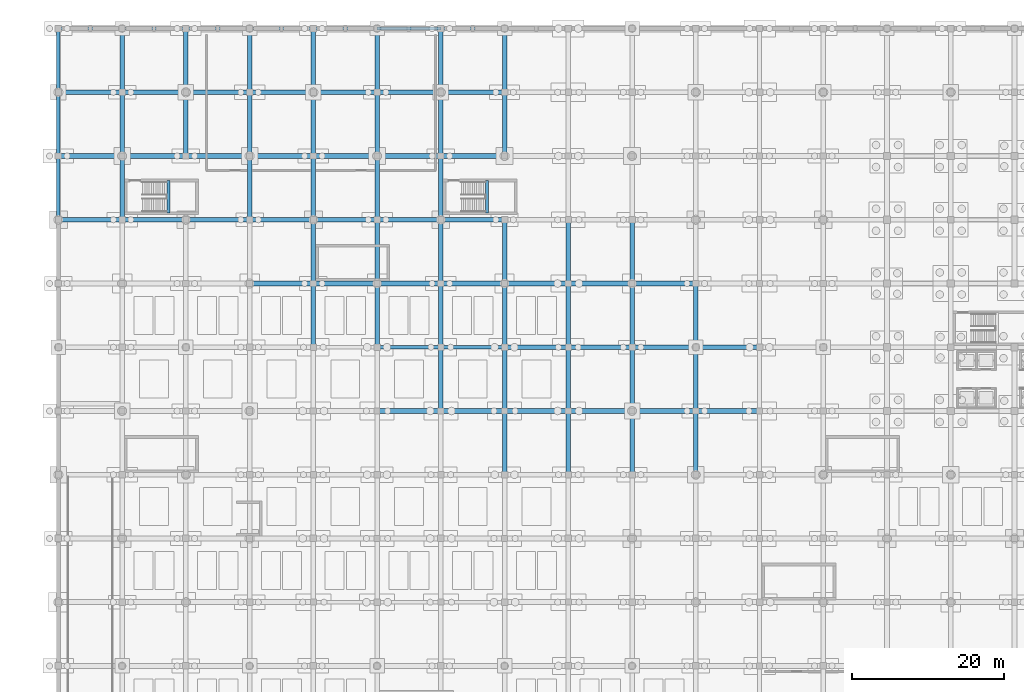
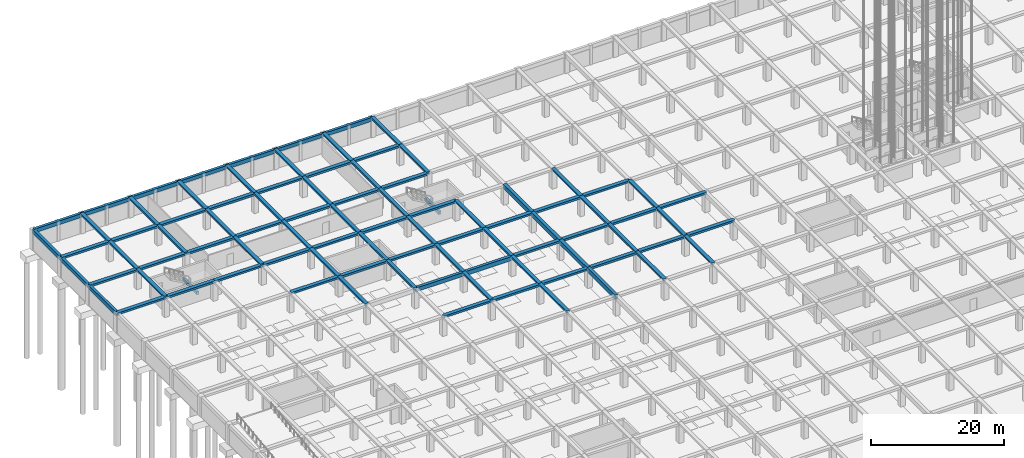
# One storey, part 14 of 47: 93 beams.
"""IFC4 building model written with IfcOpenShell, lengths in metres."""

import ifcopenshell
import ifcopenshell.guid

model = None  # the IFC model being written
_history = None  # IfcOwnerHistory: only IFC2X3 demands one
_inside = {}  # id of a spatial element -> (the spatial element, [elements in it])
_under = {}  # id of a project, library or spatial element -> (it, [spatial elements below it])
_declared = {}  # id of a project -> (the project, [libraries it declares])
_typed = {}  # id of a type object -> (the type object, [elements of that type])
_made_of = {}  # id of a material, layer set ... -> (it, [elements and type objects made of it])


def new_model(schema):
    """Start an empty IFC model of exactly this schema.

    Asked for "IFC4X3", IfcOpenShell would pick the latest addendum, in which some entities
    have other attributes; the version numbers below select the first issue.
    IFC2X3 requires an IfcOwnerHistory on every rooted entity: one is made here for all.
    """
    global model, _history
    if schema == "IFC4X3":
        model = ifcopenshell.file(schema_version=(4, 3, 0, 0))
    else:
        model = ifcopenshell.file(schema=schema)
    _inside.clear()
    _under.clear()
    _declared.clear()
    _typed.clear()
    _made_of.clear()
    _history = None
    if model.schema == "IFC2X3":
        org = make("IfcOrganization", Name="unknown")
        user = make(
            "IfcPersonAndOrganization",
            ThePerson=make("IfcPerson", FamilyName="unknown"),
            TheOrganization=org,
        )
        app = make(
            "IfcApplication",
            ApplicationDeveloper=org,
            Version="unknown",
            ApplicationFullName="unknown",
            ApplicationIdentifier="unknown",
        )
        _history = make(
            "IfcOwnerHistory",
            OwningUser=user,
            OwningApplication=app,
            ChangeAction="ADDED",
            CreationDate=0,
        )
    return model


def make(cls, **values):
    """One entity of the class cls with the attributes given. An attribute that is None is left unset."""
    return model.create_entity(
        cls, **{name: value for name, value in values.items() if value is not None}
    )


def rooted(cls, **values):
    """An entity with a GlobalId (a new one), such as an element, a storey or a relation."""
    return make(cls, GlobalId=ifcopenshell.guid.new(), OwnerHistory=_history, **values)


def si_unit(unit_type, name, prefix=None):
    """IfcSIUnit, for example si_unit("LENGTHUNIT", "METRE", prefix="MILLI")."""
    return make("IfcSIUnit", UnitType=unit_type, Prefix=prefix, Name=name)


def assignment(units):
    """IfcUnitAssignment: the units of a project."""
    return None if units is None else make("IfcUnitAssignment", Units=units)


def point(xyz):
    """IfcCartesianPoint."""
    return None if xyz is None else make("IfcCartesianPoint", Coordinates=xyz)


def direction(xyz):
    """IfcDirection."""
    return None if xyz is None else make("IfcDirection", DirectionRatios=xyz)


def frame(location, z_axis=None, x_axis=None):
    """IfcAxis2Placement3D, a coordinate frame: its origin and axes. An axis left out is left unset."""
    return make(
        "IfcAxis2Placement3D",
        Location=point(location),
        Axis=direction(z_axis),
        RefDirection=direction(x_axis),
    )


def frame_2d(location, x_axis=None):
    """IfcAxis2Placement2D, a coordinate frame in the plane: its origin and x axis."""
    return make(
        "IfcAxis2Placement2D", Location=point(location), RefDirection=direction(x_axis)
    )


def origin():
    """The frame at (0, 0, 0) with its axes left unset."""
    return frame((0.0, 0.0, 0.0))


def origin_2d():
    """The frame at (0, 0) in the plane with its x axis left unset."""
    return frame_2d((0.0, 0.0))


def place(relative_to, where):
    """IfcLocalPlacement: puts the frame where relative to a parent placement (None: the world)."""
    return make(
        "IfcLocalPlacement", PlacementRelTo=relative_to, RelativePlacement=where
    )


def context(
    kind, dimensions, precision=None, world=None, true_north=None, identifier=None
):
    """IfcGeometricRepresentationContext, for example the 3D "Model" context."""
    return make(
        "IfcGeometricRepresentationContext",
        ContextIdentifier=identifier,
        ContextType=kind,
        CoordinateSpaceDimension=dimensions,
        Precision=precision,
        WorldCoordinateSystem=world,
        TrueNorth=true_north,
    )


def subcontext(parent, identifier, kind, view, scale=None):
    """IfcGeometricRepresentationSubContext, for example "Body" below "Model"."""
    return make(
        "IfcGeometricRepresentationSubContext",
        ContextIdentifier=identifier,
        ContextType=kind,
        ParentContext=parent,
        TargetScale=scale,
        TargetView=view,
    )


def project(units=None, contexts=None):
    """IfcProject with its units and contexts."""
    return rooted(
        "IfcProject",
        Name="project",
        RepresentationContexts=contexts,
        UnitsInContext=assignment(units),
    )


def spatial(cls, under=None, at=None, **own):
    """A site, building, storey or space (cls), placed at a placement, below another one or the project."""
    s = rooted(cls, ObjectPlacement=at, **own)
    if under is not None:
        _under.setdefault(under.id(), (under, []))[1].append(s)
    return s


def profile(cls, at=None, kind="AREA", **sizes):
    """A parametric profile (cls). Its sizes go by their IFC names, for example OverallWidth=200.0."""
    return make(cls, ProfileType=kind, Position=at, **sizes)


def rectangle(**sizes):
    """IfcRectangleProfileDef."""
    return profile("IfcRectangleProfileDef", **sizes)


def extrude(swept, where, along, depth):
    """IfcExtrudedAreaSolid: the profile swept, set in the frame where, extruded along a direction by depth."""
    return make(
        "IfcExtrudedAreaSolid",
        SweptArea=swept,
        Position=where,
        ExtrudedDirection=direction(along),
        Depth=depth,
    )


def shape(context_of_items, identifier, shape_type, items):
    """IfcShapeRepresentation: the items that make up one representation, for example the "Body"."""
    return make(
        "IfcShapeRepresentation",
        ContextOfItems=context_of_items,
        RepresentationIdentifier=identifier,
        RepresentationType=shape_type,
        Items=items,
    )


def material(Name=None, Category=None):
    """IfcMaterial."""
    return make("IfcMaterial", Name=Name, Category=Category)


def material_profile(
    of_material, cross_section, Name=None, Category=None, Priority=None
):
    """IfcMaterialProfile: a cross section and its material."""
    return make(
        "IfcMaterialProfile",
        Name=Name,
        Material=of_material,
        Profile=cross_section,
        Priority=Priority,
        Category=Category,
    )


def profile_set(profiles, Name=None, composite=None):
    """IfcMaterialProfileSet."""
    return make(
        "IfcMaterialProfileSet",
        Name=Name,
        MaterialProfiles=profiles,
        CompositeProfile=composite,
    )


def made_of(thing, what):
    """Note that an element or type object is made of a material, layer set ...; save() writes the relation."""
    if what is not None:
        _made_of.setdefault(what.id(), (what, []))[1].append(thing)
    return thing


def type_object(cls, material=None, **own):
    """A type object (cls), such as IfcWallType, which elements share."""
    return made_of(rooted(cls, **own), material)


def element(
    cls,
    number,
    at=None,
    inside=None,
    cuts=None,
    type_object=None,
    material=None,
    context=None,
    identifier="Body",
    shape_type=None,
    held_by="IfcProductDefinitionShape",
    body=None,
    shapes=None,
    **own,
):
    """One element of the class cls, such as IfcWall. Its Tag is "e" and its number.

    at: its placement. inside: the storey or other place that contains it. cuts: it is an
    opening in that element (IfcRelVoidsElement). A single representation is given by context,
    identifier, shape_type and body (its items); several are given by shapes. held_by: the class
    of the entity that holds the representations. save() writes the other relations.
    """
    e = rooted(cls, Tag="e%d" % number, ObjectPlacement=at, **own)
    if body is not None:
        shapes = [shape(context, identifier, shape_type, body)]
    if shapes is not None:
        e.Representation = make(held_by, Representations=shapes)
    if inside is not None:
        _inside.setdefault(inside.id(), (inside, []))[1].append(e)
    if cuts is not None:
        rooted(
            "IfcRelVoidsElement", RelatingBuildingElement=cuts, RelatedOpeningElement=e
        )
    if type_object is not None:
        _typed.setdefault(type_object.id(), (type_object, []))[1].append(e)
    return made_of(e, material)


def aggregate(whole, parts):
    """IfcRelAggregates: a whole, such as a stair, and the parts it consists of."""
    return rooted("IfcRelAggregates", RelatingObject=whole, RelatedObjects=parts)


def save(model, path):
    """Write the relations noted so far, then the file.

    IfcRelAggregates (storeys below a building ...), IfcRelContainedInSpatialStructure (elements
    in a storey), IfcRelDefinesByType, IfcRelAssociatesMaterial and IfcRelDeclares: one each for
    every whole, place, type object, material and project.
    """
    for whole, parts in _under.values():
        aggregate(whole, parts)
    for where, things in _inside.values():
        rooted(
            "IfcRelContainedInSpatialStructure",
            RelatedElements=things,
            RelatingStructure=where,
        )
    for kind, things in _typed.values():
        rooted("IfcRelDefinesByType", RelatedObjects=things, RelatingType=kind)
    for what, things in _made_of.values():
        rooted("IfcRelAssociatesMaterial", RelatedObjects=things, RelatingMaterial=what)
    for by, libraries in _declared.values():
        rooted("IfcRelDeclares", RelatingContext=by, RelatedDefinitions=libraries)
    model.write(path)


model = new_model("IFC4")

# Units and contexts
model_context = context("Model", 3, precision=1e-05, world=origin(), true_north=direction((0.0, 1.0)))
body_context = subcontext(model_context, "Body", "Model", "MODEL_VIEW")
ifc_project = project(units=[si_unit("LENGTHUNIT", "METRE"), si_unit("AREAUNIT", "SQUARE_METRE"), si_unit("VOLUMEUNIT", "CUBIC_METRE"), si_unit("PLANEANGLEUNIT", "RADIAN"), si_unit("MASSUNIT", "GRAM", prefix="KILO")], contexts=[model_context])

# Site, building, storey
site_placement = place(None, origin())
site = spatial("IfcSite", under=ifc_project, at=site_placement, CompositionType="ELEMENT")
building_placement = place(site_placement, origin())
building = spatial("IfcBuilding", under=site, at=building_placement, Name="Almacenes y Pasaje Nevantli", CompositionType="ELEMENT")
storey_placement = place(building_placement, frame((0.0, 0.0, -8.10009765625)))
storey = spatial("IfcBuildingStorey", under=building, at=storey_placement, Name="B02", CompositionType="ELEMENT", Elevation=-8.10009765625)

# Beams
ifc_material_1 = material(Name="Concrete C35/45", Category="concrete")
ifc_material_profile_1 = material_profile(ifc_material_1, rectangle(XDim=0.39990234375, YDim=0.60009765625, at=origin_2d()), Name="RC-BM-400x600")
ifc_profile_set_1 = profile_set([ifc_material_profile_1], Name="Concrete C35/45")
beam_type_1 = type_object("IfcBeamType", Name="BM-RC-400x600", PredefinedType="SPANDREL", material=ifc_profile_set_1)
for number, where, z_axis, x_axis, name in (
    (1, (14.489990234375, 93.300048828125, 1.4501953125), (0.0, 1.0, 0.0), (-1.0, 0.0, 0.0), "B02 Stair ST-03 Half-Landing Support Beam"),
    (2, (56.489990234375, 93.300048828125, 1.4501953125), (0.0, 1.0, 0.0), (-1.0, 0.0, 0.0), "B02 Stair ST-05 Half-Landing Support Beam"),
):
    element("IfcBeam", number, at=place(storey_placement, frame(where, z_axis=z_axis, x_axis=x_axis)), inside=storey, type_object=beam_type_1, Name=name, PredefinedType="SPANDREL", context=body_context, shape_type="SweptSolid", body=[
        extrude(rectangle(XDim=0.39990234375, YDim=0.60009765625, at=origin_2d()), origin(), (0.0, 0.0, 1.0), 4.25),
    ])
ifc_material_2 = material(Name="Concrete C35/45", Category="concrete")
ifc_material_profile_2 = material_profile(ifc_material_2, rectangle(XDim=0.449951171875, YDim=0.64990234375, at=origin_2d()), Name="RC-BM-450x650")
ifc_profile_set_2 = profile_set([ifc_material_profile_2], Name="Concrete C35/45")
beam_type_2 = type_object("IfcBeamType", Name="BM-RC-450x650", PredefinedType="SPANDREL", material=ifc_profile_set_2)
for number, where, z_axis, x_axis, name in (
    (3, (8.39990234375, 117.60009765625, 3.275146484375), (1.0, 0.0, 0.0), (0.0, 1.0, 0.0), "B02 East-West Reinforced Concrete Beam #273"),
    (4, (25.199951171875, 117.60009765625, 3.275146484375), (1.0, 0.0, 0.0), (0.0, 1.0, 0.0), "B02 East-West Reinforced Concrete Beam #275"),
):
    element("IfcBeam", number, at=place(storey_placement, frame(where, z_axis=z_axis, x_axis=x_axis)), inside=storey, type_object=beam_type_2, Name=name, PredefinedType="SPANDREL", context=body_context, shape_type="SweptSolid", body=[
        extrude(rectangle(XDim=0.449951171875, YDim=0.64990234375, at=origin_2d()), origin(), (0.0, 0.0, 1.0), 8.400146484375),
    ])
beam_1_placement = place(storey_placement, frame((42.0, 117.60009765625, 3.275146484375), z_axis=(1.0, 0.0, 0.0), x_axis=(0.0, 1.0, 0.0)))
element("IfcBeam", 5, at=beam_1_placement, inside=storey, type_object=beam_type_2, Name="B02 East-West Reinforced Concrete Beam #277", PredefinedType="SPANDREL", context=body_context, shape_type="SweptSolid", body=[
    extrude(rectangle(XDim=0.449951171875, YDim=0.64990234375, at=origin_2d()), origin(), (0.0, 0.0, 1.0), 8.39990234375),
])
ifc_material_3 = material(Name="Concrete C35/45", Category="concrete")
ifc_material_profile_3 = material_profile(ifc_material_3, rectangle(XDim=0.449951171875, YDim=0.699951171875, at=origin_2d()), Name="RC-BM-450x700")
ifc_profile_set_3 = profile_set([ifc_material_profile_3], Name="Concrete C35/45")
beam_type_3 = type_object("IfcBeamType", Name="BM-RC-450x700", PredefinedType="SPANDREL", material=ifc_profile_set_3)
for number, where, z_axis, x_axis, name in (
    (6, (0.0, 117.60009765625, 3.25), (1.0, 0.0, 0.0), (0.0, 1.0, 0.0), "B02 East-West Reinforced Concrete Beam #272"),
    (7, (16.800048828125, 117.60009765625, 3.25), (1.0, 0.0, 0.0), (0.0, 1.0, 0.0), "B02 East-West Reinforced Concrete Beam #274"),
    (8, (33.60009765625, 117.60009765625, 3.25), (1.0, 0.0, 0.0), (0.0, 1.0, 0.0), "B02 East-West Reinforced Concrete Beam #276"),
):
    element("IfcBeam", number, at=place(storey_placement, frame(where, z_axis=z_axis, x_axis=x_axis)), inside=storey, type_object=beam_type_3, Name=name, PredefinedType="SPANDREL", context=body_context, shape_type="SweptSolid", body=[
        extrude(rectangle(XDim=0.449951171875, YDim=0.699951171875, at=origin_2d()), origin(), (0.0, 0.0, 1.0), 8.39990234375),
    ])
for number, where, z_axis, x_axis, name in (
    (9, (50.39990234375, 117.60009765625, 3.25), (1.0, 0.0, 0.0), (0.0, 1.0, 0.0), "B02 East-West Reinforced Concrete Beam #278"),
    (10, (0.0, 92.39990234375, 3.25), (0.0, 1.0, 0.0), (-1.0, 0.0, 0.0), "B02 North-South Reinforced Concrete Beam #300"),
):
    element("IfcBeam", number, at=place(storey_placement, frame(where, z_axis=z_axis, x_axis=x_axis)), inside=storey, type_object=beam_type_3, Name=name, PredefinedType="SPANDREL", context=body_context, shape_type="SweptSolid", body=[
        extrude(rectangle(XDim=0.449951171875, YDim=0.699951171875, at=origin_2d()), origin(), (0.0, 0.0, 1.0), 8.400146484375),
    ])
beam_2_placement = place(storey_placement, frame((0.0, 100.800048828125, 3.25), z_axis=(0.0, 1.0, 0.0), x_axis=(-1.0, 0.0, 0.0)))
element("IfcBeam", 11, at=beam_2_placement, inside=storey, type_object=beam_type_3, Name="B02 North-South Reinforced Concrete Beam #301", PredefinedType="SPANDREL", context=body_context, shape_type="SweptSolid", body=[
    extrude(rectangle(XDim=0.449951171875, YDim=0.699951171875, at=origin_2d()), origin(), (0.0, 0.0, 1.0), 8.39990234375),
])
beam_3_placement = place(storey_placement, frame((0.0, 109.199951171875, 3.25), z_axis=(0.0, 1.0, 0.0), x_axis=(-1.0, 0.0, 0.0)))
element("IfcBeam", 12, at=beam_3_placement, inside=storey, type_object=beam_type_3, Name="B02 North-South Reinforced Concrete Beam #302", PredefinedType="SPANDREL", context=body_context, shape_type="SweptSolid", body=[
    extrude(rectangle(XDim=0.449951171875, YDim=0.699951171875, at=origin_2d()), origin(), (0.0, 0.0, 1.0), 8.400146484375),
])
ifc_material_4 = material(Name="Concrete C35/45", Category="concrete")
ifc_material_profile_4 = material_profile(ifc_material_4, rectangle(XDim=0.5, YDim=0.699951171875, at=origin_2d()), Name="RC-BM-500x700")
ifc_profile_set_4 = profile_set([ifc_material_profile_4], Name="Concrete C35/45")
beam_type_4 = type_object("IfcBeamType", Name="BM-RC-500x700", PredefinedType="BEAM", material=ifc_profile_set_4)
beam_4_placement = place(storey_placement, frame((42.0, 75.60009765625, 3.25), z_axis=(1.0, 0.0, 0.0), x_axis=(0.0, 1.0, 0.0)))
element("IfcBeam", 13, at=beam_4_placement, inside=storey, type_object=beam_type_4, Name="B02 East-West Reinforced Concrete Beam #177", PredefinedType="BEAM", context=body_context, shape_type="SweptSolid", body=[
    extrude(rectangle(XDim=0.5, YDim=0.699951171875, at=origin_2d()), origin(), (0.0, 0.0, 1.0), 8.39990234375),
])
ifc_material_5 = material(Name="Concrete C35/45", Category="concrete")
ifc_material_profile_5 = material_profile(ifc_material_5, rectangle(XDim=0.5, YDim=0.75, at=origin_2d()), Name="RC-BM-500x750")
ifc_profile_set_5 = profile_set([ifc_material_profile_5], Name="Concrete C35/45")
beam_type_5 = type_object("IfcBeamType", Name="BM-RC-500x750", PredefinedType="BEAM", material=ifc_profile_set_5)
beam_5_placement = place(storey_placement, frame((50.39990234375, 75.60009765625, 3.22509765625), z_axis=(1.0, 0.0, 0.0), x_axis=(0.0, 1.0, 0.0)))
element("IfcBeam", 14, at=beam_5_placement, inside=storey, type_object=beam_type_5, Name="B02 East-West Reinforced Concrete Beam #178", PredefinedType="BEAM", context=body_context, shape_type="SweptSolid", body=[
    extrude(rectangle(XDim=0.5, YDim=0.75, at=origin_2d()), origin(), (0.0, 0.0, 1.0), 8.400146484375),
])
ifc_material_6 = material(Name="Concrete C35/45", Category="concrete")
ifc_material_profile_6 = material_profile(ifc_material_6, rectangle(XDim=0.550048828125, YDim=0.800048828125, at=origin_2d()), Name="RC-BM-550x800")
ifc_profile_set_6 = profile_set([ifc_material_profile_6], Name="Concrete C35/45")
beam_type_6 = type_object("IfcBeamType", Name="BM-RC-550x800", PredefinedType="BEAM", material=ifc_profile_set_6)
beam_6_placement = place(storey_placement, frame((67.199951171875, 58.800048828125, 3.2001953125), z_axis=(0.0, 1.0, 0.0), x_axis=(-1.0, 0.0, 0.0)))
element("IfcBeam", 15, at=beam_6_placement, inside=storey, type_object=beam_type_6, Name="B02 North-South Reinforced Concrete Beam #399", PredefinedType="BEAM", context=body_context, shape_type="SweptSolid", body=[
    extrude(rectangle(XDim=0.550048828125, YDim=0.800048828125, at=origin_2d()), origin(), (0.0, 0.0, 1.0), 8.39990234375),
])
beam_7_placement = place(storey_placement, frame((67.199951171875, 67.199951171875, 3.2001953125), z_axis=(0.0, 1.0, 0.0), x_axis=(-1.0, 0.0, 0.0)))
element("IfcBeam", 16, at=beam_7_placement, inside=storey, type_object=beam_type_6, Name="B02 North-South Reinforced Concrete Beam #400", PredefinedType="BEAM", context=body_context, shape_type="SweptSolid", body=[
    extrude(rectangle(XDim=0.550048828125, YDim=0.800048828125, at=origin_2d()), origin(), (0.0, 0.0, 1.0), 8.400146484375),
])
for number, where, z_axis, x_axis, name in (
    (17, (67.199951171875, 75.60009765625, 3.2001953125), (0.0, 1.0, 0.0), (-1.0, 0.0, 0.0), "B02 North-South Reinforced Concrete Beam #401"),
    (18, (67.199951171875, 84.0, 3.2001953125), (0.0, 1.0, 0.0), (-1.0, 0.0, 0.0), "B02 North-South Reinforced Concrete Beam #402"),
):
    element("IfcBeam", number, at=place(storey_placement, frame(where, z_axis=z_axis, x_axis=x_axis)), inside=storey, type_object=beam_type_6, Name=name, PredefinedType="BEAM", context=body_context, shape_type="SweptSolid", body=[
        extrude(rectangle(XDim=0.550048828125, YDim=0.800048828125, at=origin_2d()), origin(), (0.0, 0.0, 1.0), 8.39990234375),
    ])
ifc_material_7 = material(Name="Concrete C35/45", Category="concrete")
ifc_material_profile_7 = material_profile(ifc_material_7, rectangle(XDim=0.60009765625, YDim=0.320068359375, at=origin_2d()), Name="RC-BM-600x320")
ifc_profile_set_7 = profile_set([ifc_material_profile_7], Name="Concrete C35/45")
beam_type_7 = type_object("IfcBeamType", Name="BM-RC-600x320", PredefinedType="BEAM", material=ifc_profile_set_7)
beam_8_placement = place(storey_placement, frame((8.39990234375, 100.800048828125, 3.440185546875), z_axis=(0.0, 1.0, 0.0), x_axis=(-1.0, 0.0, 0.0)))
element("IfcBeam", 19, at=beam_8_placement, inside=storey, type_object=beam_type_7, Name="B02 North-South Reinforced Concrete Beam #312", PredefinedType="BEAM", context=body_context, shape_type="SweptSolid", body=[
    extrude(rectangle(XDim=0.60009765625, YDim=0.320068359375, at=origin_2d()), origin(), (0.0, 0.0, 1.0), 8.39990234375),
])
beam_9_placement = place(storey_placement, frame((16.800048828125, 109.199951171875, 3.440185546875), z_axis=(0.0, 1.0, 0.0), x_axis=(-1.0, 0.0, 0.0)))
element("IfcBeam", 20, at=beam_9_placement, inside=storey, type_object=beam_type_7, Name="B02 North-South Reinforced Concrete Beam #323", PredefinedType="BEAM", context=body_context, shape_type="SweptSolid", body=[
    extrude(rectangle(XDim=0.60009765625, YDim=0.320068359375, at=origin_2d()), origin(), (0.0, 0.0, 1.0), 8.400146484375),
])
for number, where, z_axis, x_axis, name in (
    (21, (25.199951171875, 100.800048828125, 3.440185546875), (0.0, 1.0, 0.0), (-1.0, 0.0, 0.0), "B02 North-South Reinforced Concrete Beam #336"),
    (22, (33.60009765625, 75.60009765625, 3.440185546875), (0.0, 1.0, 0.0), (-1.0, 0.0, 0.0), "B02 North-South Reinforced Concrete Beam #346"),
):
    element("IfcBeam", number, at=place(storey_placement, frame(where, z_axis=z_axis, x_axis=x_axis)), inside=storey, type_object=beam_type_7, Name=name, PredefinedType="BEAM", context=body_context, shape_type="SweptSolid", body=[
        extrude(rectangle(XDim=0.60009765625, YDim=0.320068359375, at=origin_2d()), origin(), (0.0, 0.0, 1.0), 8.39990234375),
    ])
for number, where, z_axis, x_axis, name in (
    (23, (33.60009765625, 92.39990234375, 3.440185546875), (0.0, 1.0, 0.0), (-1.0, 0.0, 0.0), "B02 North-South Reinforced Concrete Beam #348"),
    (24, (33.60009765625, 109.199951171875, 3.440185546875), (0.0, 1.0, 0.0), (-1.0, 0.0, 0.0), "B02 North-South Reinforced Concrete Beam #350"),
):
    element("IfcBeam", number, at=place(storey_placement, frame(where, z_axis=z_axis, x_axis=x_axis)), inside=storey, type_object=beam_type_7, Name=name, PredefinedType="BEAM", context=body_context, shape_type="SweptSolid", body=[
        extrude(rectangle(XDim=0.60009765625, YDim=0.320068359375, at=origin_2d()), origin(), (0.0, 0.0, 1.0), 8.400146484375),
    ])
for number, where, z_axis, x_axis, name in (
    (25, (42.0, 84.0, 3.440185546875), (0.0, 1.0, 0.0), (-1.0, 0.0, 0.0), "B02 North-South Reinforced Concrete Beam #361"),
    (26, (42.0, 100.800048828125, 3.440185546875), (0.0, 1.0, 0.0), (-1.0, 0.0, 0.0), "B02 North-South Reinforced Concrete Beam #363"),
    (27, (50.39990234375, 75.60009765625, 3.440185546875), (0.0, 1.0, 0.0), (-1.0, 0.0, 0.0), "B02 North-South Reinforced Concrete Beam #374"),
):
    element("IfcBeam", number, at=place(storey_placement, frame(where, z_axis=z_axis, x_axis=x_axis)), inside=storey, type_object=beam_type_7, Name=name, PredefinedType="BEAM", context=body_context, shape_type="SweptSolid", body=[
        extrude(rectangle(XDim=0.60009765625, YDim=0.320068359375, at=origin_2d()), origin(), (0.0, 0.0, 1.0), 8.39990234375),
    ])
for number, where, z_axis, x_axis, name in (
    (28, (50.39990234375, 92.39990234375, 3.440185546875), (0.0, 1.0, 0.0), (-1.0, 0.0, 0.0), "B02 North-South Reinforced Concrete Beam #376"),
    (29, (50.39990234375, 109.199951171875, 3.440185546875), (0.0, 1.0, 0.0), (-1.0, 0.0, 0.0), "B02 North-South Reinforced Concrete Beam #378"),
    (30, (58.800048828125, 67.199951171875, 3.440185546875), (0.0, 1.0, 0.0), (-1.0, 0.0, 0.0), "B02 North-South Reinforced Concrete Beam #387"),
):
    element("IfcBeam", number, at=place(storey_placement, frame(where, z_axis=z_axis, x_axis=x_axis)), inside=storey, type_object=beam_type_7, Name=name, PredefinedType="BEAM", context=body_context, shape_type="SweptSolid", body=[
        extrude(rectangle(XDim=0.60009765625, YDim=0.320068359375, at=origin_2d()), origin(), (0.0, 0.0, 1.0), 8.400146484375),
    ])
for number, where, z_axis, x_axis, name in (
    (31, (58.800048828125, 84.0, 3.440185546875), (0.0, 1.0, 0.0), (-1.0, 0.0, 0.0), "B02 North-South Reinforced Concrete Beam #389"),
    (32, (58.800048828125, 100.800048828125, 3.440185546875), (0.0, 1.0, 0.0), (-1.0, 0.0, 0.0), "B02 North-South Reinforced Concrete Beam #390"),
):
    element("IfcBeam", number, at=place(storey_placement, frame(where, z_axis=z_axis, x_axis=x_axis)), inside=storey, type_object=beam_type_7, Name=name, PredefinedType="BEAM", context=body_context, shape_type="SweptSolid", body=[
        extrude(rectangle(XDim=0.60009765625, YDim=0.320068359375, at=origin_2d()), origin(), (0.0, 0.0, 1.0), 8.39990234375),
    ])
beam_10_placement = place(storey_placement, frame((75.60009765625, 67.199951171875, 3.440185546875), z_axis=(0.0, 1.0, 0.0), x_axis=(-1.0, 0.0, 0.0)))
element("IfcBeam", 33, at=beam_10_placement, inside=storey, type_object=beam_type_7, Name="B02 North-South Reinforced Concrete Beam #414", PredefinedType="BEAM", context=body_context, shape_type="SweptSolid", body=[
    extrude(rectangle(XDim=0.60009765625, YDim=0.320068359375, at=origin_2d()), origin(), (0.0, 0.0, 1.0), 8.400146484375),
])
for number, where, z_axis, x_axis, name in (
    (34, (75.60009765625, 84.0, 3.440185546875), (0.0, 1.0, 0.0), (-1.0, 0.0, 0.0), "B02 North-South Reinforced Concrete Beam #416"),
    (35, (84.0, 58.800048828125, 3.440185546875), (0.0, 1.0, 0.0), (-1.0, 0.0, 0.0), "B02 North-South Reinforced Concrete Beam #427"),
    (36, (84.0, 75.60009765625, 3.440185546875), (0.0, 1.0, 0.0), (-1.0, 0.0, 0.0), "B02 North-South Reinforced Concrete Beam #429"),
):
    element("IfcBeam", number, at=place(storey_placement, frame(where, z_axis=z_axis, x_axis=x_axis)), inside=storey, type_object=beam_type_7, Name=name, PredefinedType="BEAM", context=body_context, shape_type="SweptSolid", body=[
        extrude(rectangle(XDim=0.60009765625, YDim=0.320068359375, at=origin_2d()), origin(), (0.0, 0.0, 1.0), 8.39990234375),
    ])
ifc_material_8 = material(Name="Concrete C35/45", Category="concrete")
ifc_material_profile_8 = material_profile(ifc_material_8, rectangle(XDim=0.60009765625, YDim=0.340087890625, at=origin_2d()), Name="RC-BM-600x340")
ifc_profile_set_8 = profile_set([ifc_material_profile_8], Name="Concrete C35/45")
beam_type_8 = type_object("IfcBeamType", Name="BM-RC-600x340", PredefinedType="BEAM", material=ifc_profile_set_8)
for number, where, z_axis, x_axis, name in (
    (37, (8.39990234375, 92.39990234375, 3.43017578125), (0.0, 1.0, 0.0), (-1.0, 0.0, 0.0), "B02 North-South Reinforced Concrete Beam #311"),
    (38, (8.39990234375, 109.199951171875, 3.43017578125), (0.0, 1.0, 0.0), (-1.0, 0.0, 0.0), "B02 North-South Reinforced Concrete Beam #313"),
):
    element("IfcBeam", number, at=place(storey_placement, frame(where, z_axis=z_axis, x_axis=x_axis)), inside=storey, type_object=beam_type_8, Name=name, PredefinedType="BEAM", context=body_context, shape_type="SweptSolid", body=[
        extrude(rectangle(XDim=0.60009765625, YDim=0.340087890625, at=origin_2d()), origin(), (0.0, 0.0, 1.0), 8.400146484375),
    ])
beam_11_placement = place(storey_placement, frame((16.800048828125, 100.800048828125, 3.43017578125), z_axis=(0.0, 1.0, 0.0), x_axis=(-1.0, 0.0, 0.0)))
element("IfcBeam", 39, at=beam_11_placement, inside=storey, type_object=beam_type_8, Name="B02 North-South Reinforced Concrete Beam #322", PredefinedType="BEAM", context=body_context, shape_type="SweptSolid", body=[
    extrude(rectangle(XDim=0.60009765625, YDim=0.340087890625, at=origin_2d()), origin(), (0.0, 0.0, 1.0), 8.39990234375),
])
for number, where, z_axis, x_axis, name in (
    (40, (25.199951171875, 92.39990234375, 3.43017578125), (0.0, 1.0, 0.0), (-1.0, 0.0, 0.0), "B02 North-South Reinforced Concrete Beam #335"),
    (41, (25.199951171875, 109.199951171875, 3.43017578125), (0.0, 1.0, 0.0), (-1.0, 0.0, 0.0), "B02 North-South Reinforced Concrete Beam #337"),
):
    element("IfcBeam", number, at=place(storey_placement, frame(where, z_axis=z_axis, x_axis=x_axis)), inside=storey, type_object=beam_type_8, Name=name, PredefinedType="BEAM", context=body_context, shape_type="SweptSolid", body=[
        extrude(rectangle(XDim=0.60009765625, YDim=0.340087890625, at=origin_2d()), origin(), (0.0, 0.0, 1.0), 8.400146484375),
    ])
for number, where, z_axis, x_axis, name in (
    (42, (33.60009765625, 84.0, 3.43017578125), (0.0, 1.0, 0.0), (-1.0, 0.0, 0.0), "B02 North-South Reinforced Concrete Beam #347"),
    (43, (33.60009765625, 100.800048828125, 3.43017578125), (0.0, 1.0, 0.0), (-1.0, 0.0, 0.0), "B02 North-South Reinforced Concrete Beam #349"),
    (44, (42.0, 75.60009765625, 3.43017578125), (0.0, 1.0, 0.0), (-1.0, 0.0, 0.0), "B02 North-South Reinforced Concrete Beam #360"),
):
    element("IfcBeam", number, at=place(storey_placement, frame(where, z_axis=z_axis, x_axis=x_axis)), inside=storey, type_object=beam_type_8, Name=name, PredefinedType="BEAM", context=body_context, shape_type="SweptSolid", body=[
        extrude(rectangle(XDim=0.60009765625, YDim=0.340087890625, at=origin_2d()), origin(), (0.0, 0.0, 1.0), 8.39990234375),
    ])
for number, where, z_axis, x_axis, name in (
    (45, (42.0, 92.39990234375, 3.43017578125), (0.0, 1.0, 0.0), (-1.0, 0.0, 0.0), "B02 North-South Reinforced Concrete Beam #362"),
    (46, (42.0, 109.199951171875, 3.43017578125), (0.0, 1.0, 0.0), (-1.0, 0.0, 0.0), "B02 North-South Reinforced Concrete Beam #364"),
    (47, (50.39990234375, 67.199951171875, 3.43017578125), (0.0, 1.0, 0.0), (-1.0, 0.0, 0.0), "B02 North-South Reinforced Concrete Beam #373"),
):
    element("IfcBeam", number, at=place(storey_placement, frame(where, z_axis=z_axis, x_axis=x_axis)), inside=storey, type_object=beam_type_8, Name=name, PredefinedType="BEAM", context=body_context, shape_type="SweptSolid", body=[
        extrude(rectangle(XDim=0.60009765625, YDim=0.340087890625, at=origin_2d()), origin(), (0.0, 0.0, 1.0), 8.400146484375),
    ])
for number, where, z_axis, x_axis, name in (
    (48, (50.39990234375, 84.0, 3.43017578125), (0.0, 1.0, 0.0), (-1.0, 0.0, 0.0), "B02 North-South Reinforced Concrete Beam #375"),
    (49, (50.39990234375, 100.800048828125, 3.43017578125), (0.0, 1.0, 0.0), (-1.0, 0.0, 0.0), "B02 North-South Reinforced Concrete Beam #377"),
    (50, (58.800048828125, 58.800048828125, 3.43017578125), (0.0, 1.0, 0.0), (-1.0, 0.0, 0.0), "B02 North-South Reinforced Concrete Beam #386"),
    (51, (58.800048828125, 75.60009765625, 3.43017578125), (0.0, 1.0, 0.0), (-1.0, 0.0, 0.0), "B02 North-South Reinforced Concrete Beam #388"),
):
    element("IfcBeam", number, at=place(storey_placement, frame(where, z_axis=z_axis, x_axis=x_axis)), inside=storey, type_object=beam_type_8, Name=name, PredefinedType="BEAM", context=body_context, shape_type="SweptSolid", body=[
        extrude(rectangle(XDim=0.60009765625, YDim=0.340087890625, at=origin_2d()), origin(), (0.0, 0.0, 1.0), 8.39990234375),
    ])
beam_12_placement = place(storey_placement, frame((58.800048828125, 109.199951171875, 3.43017578125), z_axis=(0.0, 1.0, 0.0), x_axis=(-1.0, 0.0, 0.0)))
element("IfcBeam", 52, at=beam_12_placement, inside=storey, type_object=beam_type_8, Name="B02 North-South Reinforced Concrete Beam #391", PredefinedType="BEAM", context=body_context, shape_type="SweptSolid", body=[
    extrude(rectangle(XDim=0.60009765625, YDim=0.340087890625, at=origin_2d()), origin(), (0.0, 0.0, 1.0), 8.400146484375),
])
for number, where, z_axis, x_axis, name in (
    (53, (75.60009765625, 58.800048828125, 3.43017578125), (0.0, 1.0, 0.0), (-1.0, 0.0, 0.0), "B02 North-South Reinforced Concrete Beam #413"),
    (54, (75.60009765625, 75.60009765625, 3.43017578125), (0.0, 1.0, 0.0), (-1.0, 0.0, 0.0), "B02 North-South Reinforced Concrete Beam #415"),
):
    element("IfcBeam", number, at=place(storey_placement, frame(where, z_axis=z_axis, x_axis=x_axis)), inside=storey, type_object=beam_type_8, Name=name, PredefinedType="BEAM", context=body_context, shape_type="SweptSolid", body=[
        extrude(rectangle(XDim=0.60009765625, YDim=0.340087890625, at=origin_2d()), origin(), (0.0, 0.0, 1.0), 8.39990234375),
    ])
beam_13_placement = place(storey_placement, frame((84.0, 67.199951171875, 3.43017578125), z_axis=(0.0, 1.0, 0.0), x_axis=(-1.0, 0.0, 0.0)))
element("IfcBeam", 55, at=beam_13_placement, inside=storey, type_object=beam_type_8, Name="B02 North-South Reinforced Concrete Beam #428", PredefinedType="BEAM", context=body_context, shape_type="SweptSolid", body=[
    extrude(rectangle(XDim=0.60009765625, YDim=0.340087890625, at=origin_2d()), origin(), (0.0, 0.0, 1.0), 8.400146484375),
])
ifc_material_9 = material(Name="Concrete C35/45", Category="concrete")
ifc_material_profile_9 = material_profile(ifc_material_9, rectangle(XDim=0.64990234375, YDim=0.35009765625, at=origin_2d()), Name="RC-BM-650x350")
ifc_profile_set_9 = profile_set([ifc_material_profile_9], Name="Concrete C35/45")
beam_type_9 = type_object("IfcBeamType", Name="BM-RC-650x350", PredefinedType="BEAM", material=ifc_profile_set_9)
for number, where, z_axis, x_axis, name in (
    (56, (42.0, 67.199951171875, 3.425048828125), (1.0, 0.0, 0.0), (0.0, 1.0, 0.0), "B02 East-West Reinforced Concrete Beam #157"),
    (57, (58.800048828125, 67.199951171875, 3.425048828125), (1.0, 0.0, 0.0), (0.0, 1.0, 0.0), "B02 East-West Reinforced Concrete Beam #159"),
    (58, (75.60009765625, 67.199951171875, 3.425048828125), (1.0, 0.0, 0.0), (0.0, 1.0, 0.0), "B02 East-West Reinforced Concrete Beam #161"),
):
    element("IfcBeam", number, at=place(storey_placement, frame(where, z_axis=z_axis, x_axis=x_axis)), inside=storey, type_object=beam_type_9, Name=name, PredefinedType="BEAM", context=body_context, shape_type="SweptSolid", body=[
        extrude(rectangle(XDim=0.64990234375, YDim=0.35009765625, at=origin_2d()), origin(), (0.0, 0.0, 1.0), 8.39990234375),
    ])
beam_14_placement = place(storey_placement, frame((67.199951171875, 75.60009765625, 3.425048828125), z_axis=(1.0, 0.0, 0.0), x_axis=(0.0, 1.0, 0.0)))
element("IfcBeam", 59, at=beam_14_placement, inside=storey, type_object=beam_type_9, Name="B02 East-West Reinforced Concrete Beam #180", PredefinedType="BEAM", context=body_context, shape_type="SweptSolid", body=[
    extrude(rectangle(XDim=0.64990234375, YDim=0.35009765625, at=origin_2d()), origin(), (0.0, 0.0, 1.0), 8.400146484375),
])
beam_15_placement = place(storey_placement, frame((84.0, 75.60009765625, 3.425048828125), z_axis=(1.0, 0.0, 0.0), x_axis=(0.0, 1.0, 0.0)))
element("IfcBeam", 60, at=beam_15_placement, inside=storey, type_object=beam_type_9, Name="B02 East-West Reinforced Concrete Beam #182", PredefinedType="BEAM", context=body_context, shape_type="SweptSolid", body=[
    extrude(rectangle(XDim=0.64990234375, YDim=0.35009765625, at=origin_2d()), origin(), (0.0, 0.0, 1.0), 8.39990234375),
])
beam_16_placement = place(storey_placement, frame((25.199951171875, 84.0, 3.425048828125), z_axis=(1.0, 0.0, 0.0), x_axis=(0.0, 1.0, 0.0)))
element("IfcBeam", 61, at=beam_16_placement, inside=storey, type_object=beam_type_9, Name="B02 East-West Reinforced Concrete Beam #195", PredefinedType="BEAM", context=body_context, shape_type="SweptSolid", body=[
    extrude(rectangle(XDim=0.64990234375, YDim=0.35009765625, at=origin_2d()), origin(), (0.0, 0.0, 1.0), 8.400146484375),
])
for number, where, z_axis, x_axis, name in (
    (62, (42.0, 84.0, 3.425048828125), (1.0, 0.0, 0.0), (0.0, 1.0, 0.0), "B02 East-West Reinforced Concrete Beam #197"),
    (63, (58.800048828125, 84.0, 3.425048828125), (1.0, 0.0, 0.0), (0.0, 1.0, 0.0), "B02 East-West Reinforced Concrete Beam #199"),
    (64, (75.60009765625, 84.0, 3.425048828125), (1.0, 0.0, 0.0), (0.0, 1.0, 0.0), "B02 East-West Reinforced Concrete Beam #201"),
    (65, (0.0, 92.39990234375, 3.425048828125), (1.0, 0.0, 0.0), (0.0, 1.0, 0.0), "B02 East-West Reinforced Concrete Beam #212"),
    (66, (16.800048828125, 92.39990234375, 3.425048828125), (1.0, 0.0, 0.0), (0.0, 1.0, 0.0), "B02 East-West Reinforced Concrete Beam #214"),
    (67, (33.60009765625, 92.39990234375, 3.425048828125), (1.0, 0.0, 0.0), (0.0, 1.0, 0.0), "B02 East-West Reinforced Concrete Beam #216"),
):
    element("IfcBeam", number, at=place(storey_placement, frame(where, z_axis=z_axis, x_axis=x_axis)), inside=storey, type_object=beam_type_9, Name=name, PredefinedType="BEAM", context=body_context, shape_type="SweptSolid", body=[
        extrude(rectangle(XDim=0.64990234375, YDim=0.35009765625, at=origin_2d()), origin(), (0.0, 0.0, 1.0), 8.39990234375),
    ])
for number, where, z_axis, x_axis, name in (
    (68, (50.39990234375, 92.39990234375, 3.425048828125), (1.0, 0.0, 0.0), (0.0, 1.0, 0.0), "B02 East-West Reinforced Concrete Beam #218"),
    (69, (8.39990234375, 100.800048828125, 3.425048828125), (1.0, 0.0, 0.0), (0.0, 1.0, 0.0), "B02 East-West Reinforced Concrete Beam #233"),
    (70, (25.199951171875, 100.800048828125, 3.425048828125), (1.0, 0.0, 0.0), (0.0, 1.0, 0.0), "B02 East-West Reinforced Concrete Beam #235"),
):
    element("IfcBeam", number, at=place(storey_placement, frame(where, z_axis=z_axis, x_axis=x_axis)), inside=storey, type_object=beam_type_9, Name=name, PredefinedType="BEAM", context=body_context, shape_type="SweptSolid", body=[
        extrude(rectangle(XDim=0.64990234375, YDim=0.35009765625, at=origin_2d()), origin(), (0.0, 0.0, 1.0), 8.400146484375),
    ])
for number, where, z_axis, x_axis, name in (
    (71, (42.0, 100.800048828125, 3.425048828125), (1.0, 0.0, 0.0), (0.0, 1.0, 0.0), "B02 East-West Reinforced Concrete Beam #237"),
    (72, (0.0, 109.199951171875, 3.425048828125), (1.0, 0.0, 0.0), (0.0, 1.0, 0.0), "B02 East-West Reinforced Concrete Beam #252"),
    (73, (16.800048828125, 109.199951171875, 3.425048828125), (1.0, 0.0, 0.0), (0.0, 1.0, 0.0), "B02 East-West Reinforced Concrete Beam #254"),
    (74, (33.60009765625, 109.199951171875, 3.425048828125), (1.0, 0.0, 0.0), (0.0, 1.0, 0.0), "B02 East-West Reinforced Concrete Beam #256"),
):
    element("IfcBeam", number, at=place(storey_placement, frame(where, z_axis=z_axis, x_axis=x_axis)), inside=storey, type_object=beam_type_9, Name=name, PredefinedType="BEAM", context=body_context, shape_type="SweptSolid", body=[
        extrude(rectangle(XDim=0.64990234375, YDim=0.35009765625, at=origin_2d()), origin(), (0.0, 0.0, 1.0), 8.39990234375),
    ])
beam_17_placement = place(storey_placement, frame((50.39990234375, 109.199951171875, 3.425048828125), z_axis=(1.0, 0.0, 0.0), x_axis=(0.0, 1.0, 0.0)))
element("IfcBeam", 75, at=beam_17_placement, inside=storey, type_object=beam_type_9, Name="B02 East-West Reinforced Concrete Beam #258", PredefinedType="BEAM", context=body_context, shape_type="SweptSolid", body=[
    extrude(rectangle(XDim=0.64990234375, YDim=0.35009765625, at=origin_2d()), origin(), (0.0, 0.0, 1.0), 8.400146484375),
])
ifc_material_10 = material(Name="Concrete C35/45", Category="concrete")
ifc_material_profile_10 = material_profile(ifc_material_10, rectangle(XDim=0.64990234375, YDim=0.3798828125, at=origin_2d()), Name="RC-BM-650x380")
ifc_profile_set_10 = profile_set([ifc_material_profile_10], Name="Concrete C35/45")
beam_type_10 = type_object("IfcBeamType", Name="BM-RC-650x380", PredefinedType="BEAM", material=ifc_profile_set_10)
for number, where, z_axis, x_axis, name in (
    (76, (50.39990234375, 67.199951171875, 3.41015625), (1.0, 0.0, 0.0), (0.0, 1.0, 0.0), "B02 East-West Reinforced Concrete Beam #158"),
    (77, (67.199951171875, 67.199951171875, 3.41015625), (1.0, 0.0, 0.0), (0.0, 1.0, 0.0), "B02 East-West Reinforced Concrete Beam #160"),
):
    element("IfcBeam", number, at=place(storey_placement, frame(where, z_axis=z_axis, x_axis=x_axis)), inside=storey, type_object=beam_type_10, Name=name, PredefinedType="BEAM", context=body_context, shape_type="SweptSolid", body=[
        extrude(rectangle(XDim=0.64990234375, YDim=0.3798828125, at=origin_2d()), origin(), (0.0, 0.0, 1.0), 8.400146484375),
    ])
for number, where, z_axis, x_axis, name in (
    (78, (84.0, 67.199951171875, 3.41015625), (1.0, 0.0, 0.0), (0.0, 1.0, 0.0), "B02 East-West Reinforced Concrete Beam #162"),
    (79, (58.800048828125, 75.60009765625, 3.41015625), (1.0, 0.0, 0.0), (0.0, 1.0, 0.0), "B02 East-West Reinforced Concrete Beam #179"),
    (80, (75.60009765625, 75.60009765625, 3.41015625), (1.0, 0.0, 0.0), (0.0, 1.0, 0.0), "B02 East-West Reinforced Concrete Beam #181"),
    (81, (33.60009765625, 84.0, 3.41015625), (1.0, 0.0, 0.0), (0.0, 1.0, 0.0), "B02 East-West Reinforced Concrete Beam #196"),
):
    element("IfcBeam", number, at=place(storey_placement, frame(where, z_axis=z_axis, x_axis=x_axis)), inside=storey, type_object=beam_type_10, Name=name, PredefinedType="BEAM", context=body_context, shape_type="SweptSolid", body=[
        extrude(rectangle(XDim=0.64990234375, YDim=0.3798828125, at=origin_2d()), origin(), (0.0, 0.0, 1.0), 8.39990234375),
    ])
for number, where, z_axis, x_axis, name in (
    (82, (50.39990234375, 84.0, 3.41015625), (1.0, 0.0, 0.0), (0.0, 1.0, 0.0), "B02 East-West Reinforced Concrete Beam #198"),
    (83, (67.199951171875, 84.0, 3.41015625), (1.0, 0.0, 0.0), (0.0, 1.0, 0.0), "B02 East-West Reinforced Concrete Beam #200"),
    (84, (8.39990234375, 92.39990234375, 3.41015625), (1.0, 0.0, 0.0), (0.0, 1.0, 0.0), "B02 East-West Reinforced Concrete Beam #213"),
    (85, (25.199951171875, 92.39990234375, 3.41015625), (1.0, 0.0, 0.0), (0.0, 1.0, 0.0), "B02 East-West Reinforced Concrete Beam #215"),
):
    element("IfcBeam", number, at=place(storey_placement, frame(where, z_axis=z_axis, x_axis=x_axis)), inside=storey, type_object=beam_type_10, Name=name, PredefinedType="BEAM", context=body_context, shape_type="SweptSolid", body=[
        extrude(rectangle(XDim=0.64990234375, YDim=0.3798828125, at=origin_2d()), origin(), (0.0, 0.0, 1.0), 8.400146484375),
    ])
for number, where, z_axis, x_axis, name in (
    (86, (42.0, 92.39990234375, 3.41015625), (1.0, 0.0, 0.0), (0.0, 1.0, 0.0), "B02 East-West Reinforced Concrete Beam #217"),
    (87, (0.0, 100.800048828125, 3.41015625), (1.0, 0.0, 0.0), (0.0, 1.0, 0.0), "B02 East-West Reinforced Concrete Beam #232"),
    (88, (16.800048828125, 100.800048828125, 3.41015625), (1.0, 0.0, 0.0), (0.0, 1.0, 0.0), "B02 East-West Reinforced Concrete Beam #234"),
    (89, (33.60009765625, 100.800048828125, 3.41015625), (1.0, 0.0, 0.0), (0.0, 1.0, 0.0), "B02 East-West Reinforced Concrete Beam #236"),
):
    element("IfcBeam", number, at=place(storey_placement, frame(where, z_axis=z_axis, x_axis=x_axis)), inside=storey, type_object=beam_type_10, Name=name, PredefinedType="BEAM", context=body_context, shape_type="SweptSolid", body=[
        extrude(rectangle(XDim=0.64990234375, YDim=0.3798828125, at=origin_2d()), origin(), (0.0, 0.0, 1.0), 8.39990234375),
    ])
for number, where, z_axis, x_axis, name in (
    (90, (50.39990234375, 100.800048828125, 3.41015625), (1.0, 0.0, 0.0), (0.0, 1.0, 0.0), "B02 East-West Reinforced Concrete Beam #238"),
    (91, (8.39990234375, 109.199951171875, 3.41015625), (1.0, 0.0, 0.0), (0.0, 1.0, 0.0), "B02 East-West Reinforced Concrete Beam #253"),
    (92, (25.199951171875, 109.199951171875, 3.41015625), (1.0, 0.0, 0.0), (0.0, 1.0, 0.0), "B02 East-West Reinforced Concrete Beam #255"),
):
    element("IfcBeam", number, at=place(storey_placement, frame(where, z_axis=z_axis, x_axis=x_axis)), inside=storey, type_object=beam_type_10, Name=name, PredefinedType="BEAM", context=body_context, shape_type="SweptSolid", body=[
        extrude(rectangle(XDim=0.64990234375, YDim=0.3798828125, at=origin_2d()), origin(), (0.0, 0.0, 1.0), 8.400146484375),
    ])
beam_18_placement = place(storey_placement, frame((42.0, 109.199951171875, 3.41015625), z_axis=(1.0, 0.0, 0.0), x_axis=(0.0, 1.0, 0.0)))
element("IfcBeam", 93, at=beam_18_placement, inside=storey, type_object=beam_type_10, Name="B02 East-West Reinforced Concrete Beam #257", PredefinedType="BEAM", context=body_context, shape_type="SweptSolid", body=[
    extrude(rectangle(XDim=0.64990234375, YDim=0.3798828125, at=origin_2d()), origin(), (0.0, 0.0, 1.0), 8.39990234375),
])

save(model, "model.ifc")
